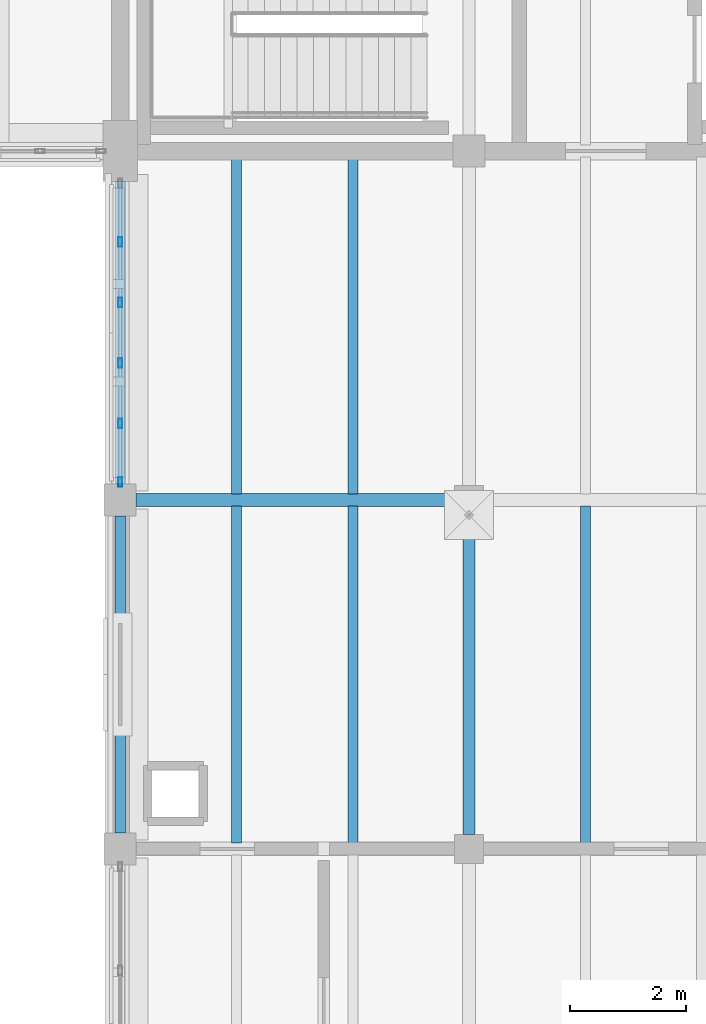
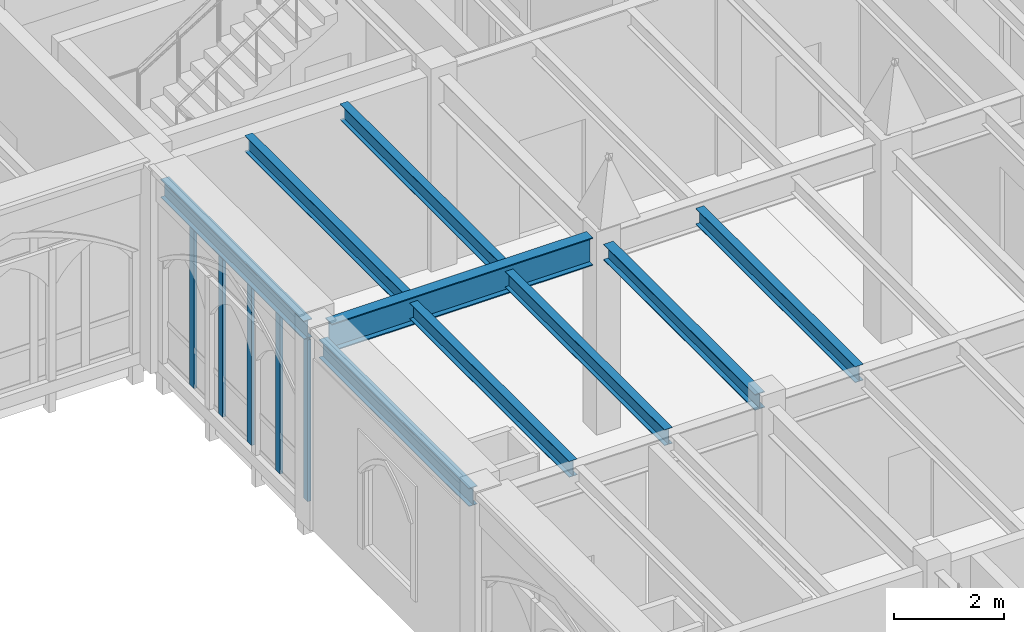
# One storey, part 63 of 143: 9 beams, 5 members, 1 element without a shape of its own.
"""IFC4 building model written with IfcOpenShell, lengths in metres."""

from ifc_helpers import new_model, si_unit, direction, frame, origin, origin_2d, place, context, subcontext, project, spatial, hollow_rectangle, i_section, extrude, material, layer, layer_set, material_profile, profile_set, type_object, element, aggregate, save


model = new_model("IFC4")

# Units and contexts
model_context = context("Model", 3, precision=1e-05, world=origin(), true_north=direction((0.0, 1.0)))
body_context = subcontext(model_context, "Body", "Model", "MODEL_VIEW")
ifc_project = project(units=[si_unit("LENGTHUNIT", "METRE"), si_unit("AREAUNIT", "SQUARE_METRE"), si_unit("VOLUMEUNIT", "CUBIC_METRE"), si_unit("PLANEANGLEUNIT", "RADIAN"), si_unit("MASSUNIT", "GRAM", prefix="KILO")], contexts=[model_context])

# Site, building, storey
site_placement = place(None, origin())
site = spatial("IfcSite", under=ifc_project, at=site_placement, CompositionType="ELEMENT")
building_placement = place(site_placement, origin())
building = spatial("IfcBuilding", under=site, at=building_placement, Name="Cumevento Cable Car Station", CompositionType="ELEMENT")
storey_placement = place(building_placement, frame((0.0, 0.0, 9.0)))
storey = spatial("IfcBuildingStorey", under=building, at=storey_placement, Name="L03", CompositionType="ELEMENT", Elevation=9.0)

# Curtain wall, members
ifc_material_1 = material(Name="Anodised Bronze Aluminium AW-6063-T6", Category="aluminium")
ifc_layer = layer(ifc_material_1, 0.172119140625)
ifc_layer_set = layer_set([ifc_layer], Name="Anodised Bronze Aluminium AW-6063-T6")
curtain_wall_type = type_object("IfcCurtainWallType", Name="Lancet Curtain Wall CW-03 1130", PredefinedType="NOTDEFINED", material=ifc_layer_set)
curtain_wall_placement = place(storey_placement, origin())
curtain_wall = element("IfcCurtainWall", 1, at=curtain_wall_placement, inside=storey, type_object=curtain_wall_type, Name="Lancet Curtain Wall CW-03 L03 #130", PredefinedType="NOTDEFINED")
ifc_material_2 = material(Name="Anodised Bronze Aluminium AW-6063-T6", Category="aluminium")
ifc_material_profile_1 = material_profile(ifc_material_2, hollow_rectangle(XDim=0.06494140625, YDim=0.159912109375, WallThickness=0.00390625, at=origin_2d()), Name="ALUM65x160x4")
ifc_profile_set_1 = profile_set([ifc_material_profile_1], Name="Anodised Bronze Aluminium AW-6063-T6")
member_type = type_object("IfcMemberType", Name="Curtain Mullion CWM-01 ALUM65x160x4", PredefinedType="MULLION", material=ifc_profile_set_1)
member_1_placement = place(storey_placement, frame((118.0, 39.3076171875, 0.260009765625), z_axis=(0.0, 0.0, 1.0), x_axis=(-1.0, 0.0, 0.0)))
member_1 = element("IfcMember", 2, at=member_1_placement, type_object=member_type, Name="CW-03 mullion 1", PredefinedType="MULLION", context=body_context, shape_type="SweptSolid", body=[
    extrude(hollow_rectangle(XDim=0.06494140625, YDim=0.159912109375, WallThickness=0.00390625, at=origin_2d()), origin(), (0.0, 0.0, 1.0), 3.5849609375),
])
member_2_placement = place(storey_placement, frame((118.0, 40.31494140625, 0.260009765625), z_axis=(0.0, 0.0, 1.0), x_axis=(-1.0, 0.0, 0.0)))
member_2 = element("IfcMember", 3, at=member_2_placement, type_object=member_type, Name="CW-03 mullion 2", PredefinedType="MULLION", context=body_context, shape_type="SweptSolid", body=[
    extrude(hollow_rectangle(XDim=0.06494140625, YDim=0.159912109375, WallThickness=0.00390625, at=origin_2d()), origin(), (0.0, 0.0, 1.0), 3.5849609375),
])
member_3_placement = place(storey_placement, frame((118.0, 41.35498046875, 0.260009765625), z_axis=(0.0, 0.0, 1.0), x_axis=(-1.0, 0.0, 0.0)))
member_3 = element("IfcMember", 4, at=member_3_placement, type_object=member_type, Name="CW-03 mullion 3", PredefinedType="MULLION", context=body_context, shape_type="SweptSolid", body=[
    extrude(hollow_rectangle(XDim=0.06494140625, YDim=0.159912109375, WallThickness=0.00390625, at=origin_2d()), origin(), (0.0, 0.0, 1.0), 3.5849609375),
])
member_4_placement = place(storey_placement, frame((118.0, 42.39501953125, 0.260009765625), z_axis=(0.0, 0.0, 1.0), x_axis=(-1.0, 0.0, 0.0)))
member_4 = element("IfcMember", 5, at=member_4_placement, type_object=member_type, Name="CW-03 mullion 4", PredefinedType="MULLION", context=body_context, shape_type="SweptSolid", body=[
    extrude(hollow_rectangle(XDim=0.06494140625, YDim=0.159912109375, WallThickness=0.00390625, at=origin_2d()), origin(), (0.0, 0.0, 1.0), 3.5849609375),
])
member_5_placement = place(storey_placement, frame((118.0, 43.43505859375, 0.260009765625), z_axis=(0.0, 0.0, 1.0), x_axis=(-1.0, 0.0, 0.0)))
member_5 = element("IfcMember", 6, at=member_5_placement, type_object=member_type, Name="CW-03 mullion 5", PredefinedType="MULLION", context=body_context, shape_type="SweptSolid", body=[
    extrude(hollow_rectangle(XDim=0.06494140625, YDim=0.159912109375, WallThickness=0.00390625, at=origin_2d()), origin(), (0.0, 0.0, 1.0), 3.5849609375),
])
aggregate(curtain_wall, [member_1, member_2, member_3, member_4, member_5])

# Beams
ifc_material_3 = material(Name="Steel ASTM A572 Grade 50", Category="steel")
ifc_material_profile_2 = material_profile(ifc_material_3, i_section(OverallWidth=0.22998046875, OverallDepth=0.616943359375, WebThickness=0.01318359375, FlangeThickness=0.022216796875, at=origin_2d()), Name="W610x140.0")
ifc_profile_set_2 = profile_set([ifc_material_profile_2], Name="Steel ASTM A572 Grade 50")
beam_type_1 = type_object("IfcBeamType", Name="Structural Beam BM-01 W610x140.0", PredefinedType="BEAM", material=ifc_profile_set_2)
beam_1_placement = place(storey_placement, frame((118.27490234375, 39.0, 3.991455078125), z_axis=(1.0, 0.0, 0.0), x_axis=(0.0, 1.0, 0.0)))
element("IfcBeam", 7, at=beam_1_placement, inside=storey, type_object=beam_type_1, Name="Beam BM-01 L03 #1150", PredefinedType="BEAM", context=body_context, shape_type="SweptSolid", body=[
    extrude(i_section(OverallWidth=0.22998046875, OverallDepth=0.616943359375, WebThickness=0.01318359375, FlangeThickness=0.022216796875, at=origin_2d()), origin(), (0.0, 0.0, 1.0), 5.47509765625),
])
ifc_material_4 = material(Name="Steel ASTM A572 Grade 50", Category="steel")
ifc_material_profile_3 = material_profile(ifc_material_4, i_section(OverallWidth=0.205078125, OverallDepth=0.35400390625, WebThickness=0.009521484375, FlangeThickness=0.016845703125, at=origin_2d()), Name="W360x79.0")
ifc_profile_set_3 = profile_set([ifc_material_profile_3], Name="Steel ASTM A572 Grade 50")
beam_type_2 = type_object("IfcBeamType", Name="Structural Beam BM-05 W360x79.0", PredefinedType="BEAM", material=ifc_profile_set_3)
beam_2_placement = place(storey_placement, frame((124.0, 33.25, 4.008056640625), z_axis=(0.0, 1.0, 0.0), x_axis=(-1.0, 0.0, 0.0)))
element("IfcBeam", 8, at=beam_2_placement, inside=storey, type_object=beam_type_2, Name="Beam BM-05 L03 #1158", PredefinedType="BEAM", context=body_context, shape_type="SweptSolid", body=[
    extrude(i_section(OverallWidth=0.205078125, OverallDepth=0.35400390625, WebThickness=0.009521484375, FlangeThickness=0.016845703125, at=origin_2d()), origin(), (0.0, 0.0, 1.0), 5.5),
])
ifc_material_5 = material(Name="Steel ASTM A572 Grade 50", Category="steel")
ifc_material_profile_4 = material_profile(ifc_material_5, i_section(OverallWidth=0.1708984375, OverallDepth=0.35498046875, WebThickness=0.007080078125, FlangeThickness=0.01171875, at=origin_2d()), Name="W360x51.0")
ifc_profile_set_4 = profile_set([ifc_material_profile_4], Name="Steel ASTM A572 Grade 50")
beam_type_3 = type_object("IfcBeamType", Name="Structural Joist JS-01 W360x51.0", PredefinedType="JOIST", material=ifc_profile_set_4)
for number, where, z_axis, x_axis, name in (
    (9, (120.0, 33.10302734375, 4.007568359375), (0.0, 1.0, 0.0), (-1.0, 0.0, 0.0), "Composite Floor Joist JS-01 L03 #1301"),
    (10, (120.0, 39.10302734375, 4.08642578125), (0.0, 1.0, 0.0), (-1.0, 0.0, 0.0), "Composite Floor Joist JS-01 L03 #1302"),
    (11, (122.0, 33.10302734375, 4.007568359375), (0.0, 1.0, 0.0), (-1.0, 0.0, 0.0), "Composite Floor Joist JS-01 L03 #1303"),
    (12, (122.0, 39.10302734375, 4.08642578125), (0.0, 1.0, 0.0), (-1.0, 0.0, 0.0), "Composite Floor Joist JS-01 L03 #1304"),
    (13, (126.0, 33.10302734375, 4.007568359375), (0.0, 1.0, 0.0), (-1.0, 0.0, 0.0), "Composite Floor Joist JS-01 L03 #1305"),
):
    element("IfcBeam", number, at=place(storey_placement, frame(where, z_axis=z_axis, x_axis=x_axis)), inside=storey, type_object=beam_type_3, Name=name, PredefinedType="JOIST", context=body_context, shape_type="SweptSolid", body=[
        extrude(i_section(OverallWidth=0.1708984375, OverallDepth=0.35498046875, WebThickness=0.007080078125, FlangeThickness=0.01171875, at=origin_2d()), origin(), (0.0, 0.0, 1.0), 5.7939453125),
    ])
ifc_material_6 = material(Name="Steel ASTM A572 Grade 50", Category="steel")
ifc_material_profile_5 = material_profile(ifc_material_6, i_section(OverallWidth=0.177978515625, OverallDepth=0.406982421875, WebThickness=0.0078125, FlangeThickness=0.0126953125, at=origin_2d()), Name="W410x60.0")
ifc_profile_set_5 = profile_set([ifc_material_profile_5], Name="Steel ASTM A572 Grade 50")
beam_type_4 = type_object("IfcBeamType", Name="Structural Spandrel SP-01 W410x60.0", PredefinedType="SPANDREL", material=ifc_profile_set_5)
beam_3_placement = place(storey_placement, frame((118.0, 33.27490234375, 3.9814453125), z_axis=(0.0, 1.0, 0.0), x_axis=(-1.0, 0.0, 0.0)))
element("IfcBeam", 14, at=beam_3_placement, inside=storey, type_object=beam_type_4, Name="Beam SP-01 L03 #1156", PredefinedType="SPANDREL", context=body_context, shape_type="SweptSolid", body=[
    extrude(i_section(OverallWidth=0.177978515625, OverallDepth=0.406982421875, WebThickness=0.0078125, FlangeThickness=0.0126953125, at=origin_2d()), origin(), (0.0, 0.0, 1.0), 5.4501953125),
])
beam_4_placement = place(storey_placement, frame((118.0, 39.27490234375, 4.048583984375), z_axis=(0.0, 1.0, 0.0), x_axis=(-1.0, 0.0, 0.0)))
element("IfcBeam", 15, at=beam_4_placement, inside=storey, type_object=beam_type_4, Name="Beam SP-01 L03 #1157", PredefinedType="SPANDREL", context=body_context, shape_type="SweptSolid", body=[
    extrude(i_section(OverallWidth=0.177978515625, OverallDepth=0.406982421875, WebThickness=0.0078125, FlangeThickness=0.0126953125, at=origin_2d()), origin(), (0.0, 0.0, 1.0), 5.2001953125),
])

save(model, "model.ifc")
